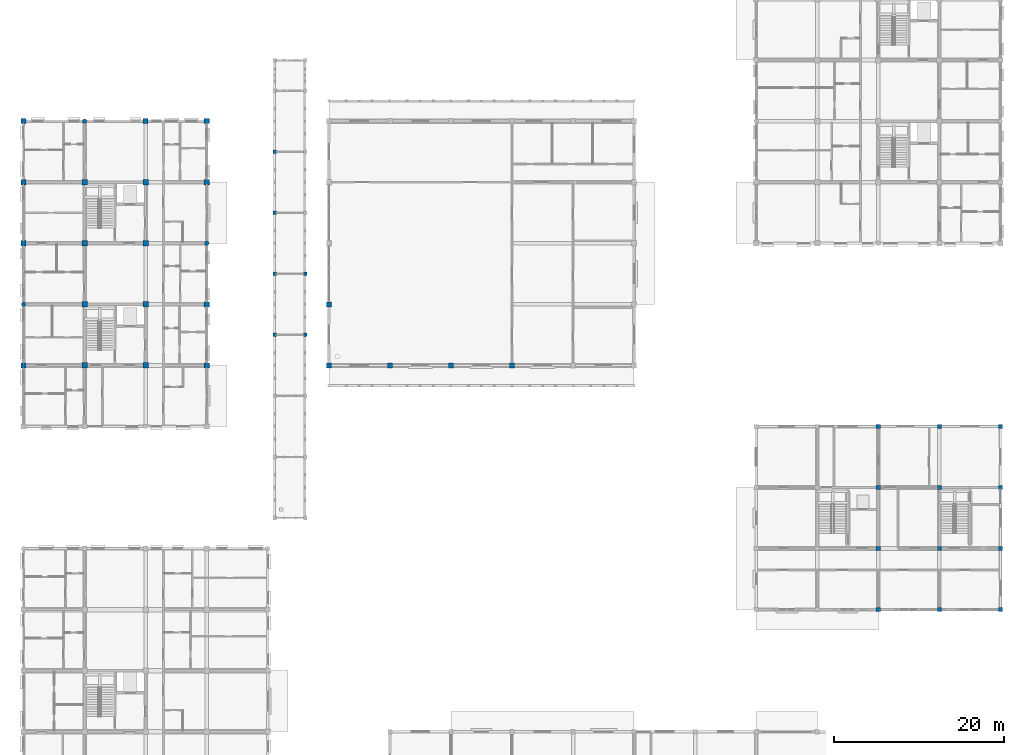
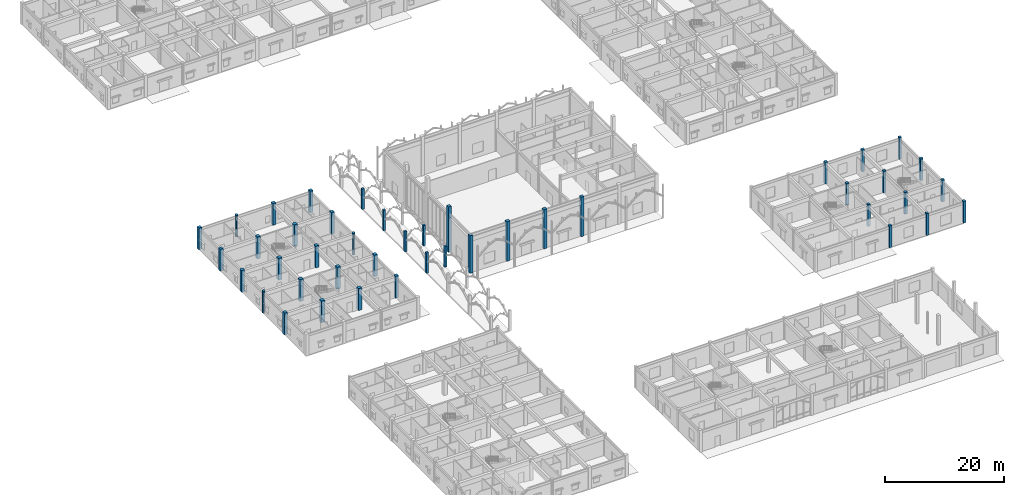
# One storey, part 7 of 138: 43 columns.
"""IFC4 building model written with IfcOpenShell, lengths in metres."""

from ifc_helpers import new_model, si_unit, direction, frame, origin, origin_2d, place, context, subcontext, project, spatial, rectangle, circle, extrude, material, material_profile, profile_set, type_object, element, save


model = new_model("IFC4")

# Units and contexts
model_context = context("Model", 3, precision=1e-05, world=origin(), true_north=direction((0.0, 1.0)))
body_context = subcontext(model_context, "Body", "Model", "MODEL_VIEW")
ifc_project = project(units=[si_unit("LENGTHUNIT", "METRE"), si_unit("AREAUNIT", "SQUARE_METRE"), si_unit("VOLUMEUNIT", "CUBIC_METRE"), si_unit("PLANEANGLEUNIT", "RADIAN"), si_unit("MASSUNIT", "GRAM", prefix="KILO"), si_unit("THERMODYNAMICTEMPERATUREUNIT", "KELVIN"), si_unit("POWERUNIT", "WATT")], contexts=[model_context])

# Site, building, storey
site_placement = place(None, origin())
site = spatial("IfcSite", under=ifc_project, at=site_placement, CompositionType="ELEMENT")
building_placement = place(site_placement, origin())
building = spatial("IfcBuilding", under=site, at=building_placement, Name="Tavuni Mirador Residences", CompositionType="ELEMENT")
storey_placement = place(building_placement, origin())
storey = spatial("IfcBuildingStorey", under=building, at=storey_placement, Name="L00", CompositionType="ELEMENT", Elevation=0.0)

# Columns
ifc_material_1 = material(Name="Precast concrete C40/50", Category="concrete")
ifc_material_profile_1 = material_profile(ifc_material_1, rectangle(XDim=0.419921875, YDim=0.419921875, at=origin_2d()), Name="CORAL 420x420", Category="concrete")
ifc_profile_set_1 = profile_set([ifc_material_profile_1], Name="Precast concrete C40/50")
column_type_1 = type_object("IfcColumnType", Name="CT-PIL420", PredefinedType="PILASTER", material=ifc_profile_set_1)
for number, where, z_axis, x_axis, name in (
    (1, (33.199951171875, 75.60009765625, 0.0), (0.0, 0.0, 1.0), (1.0, 0.0, 0.0), "COL-PAV-COL-L00-00-03"),
    (2, (36.800048828125, 75.60009765625, 0.0), (0.0, 0.0, 1.0), (1.0, 0.0, 0.0), "COL-PAV-COL-L00-01-03"),
    (3, (33.199951171875, 82.800048828125, 0.0), (0.0, 0.0, 1.0), (1.0, 0.0, 0.0), "COL-PAV-COL-L00-00-04"),
    (4, (36.800048828125, 82.800048828125, 0.0), (0.0, 0.0, 1.0), (1.0, 0.0, 0.0), "COL-PAV-COL-L00-01-04"),
    (5, (33.199951171875, 90.0, 0.0), (0.0, 0.0, 1.0), (1.0, 0.0, 0.0), "COL-PAV-COL-L00-00-05"),
    (6, (33.199951171875, 97.199951171875, 0.0), (0.0, 0.0, 1.0), (1.0, 0.0, 0.0), "COL-PAV-COL-L00-00-06"),
):
    element("IfcColumn", number, at=place(storey_placement, frame(where, z_axis=z_axis, x_axis=x_axis)), inside=storey, type_object=column_type_1, Name=name, PredefinedType="PILASTER", context=body_context, shape_type="SweptSolid", body=[
        extrude(rectangle(XDim=0.419921875, YDim=0.419921875, at=origin_2d()), origin(), (0.0, 0.0, 1.0), 4.199951171875),
    ])
ifc_material_profile_2 = material_profile(ifc_material_1, rectangle(XDim=0.47998046875, YDim=0.47998046875, at=origin_2d()), Name="CORAL 480x480", Category="concrete")
ifc_profile_set_2 = profile_set([ifc_material_profile_2], Name="Precast concrete C40/50")
column_type_2 = type_object("IfcColumnType", Name="CT-PIL480", PredefinedType="PILASTER", material=ifc_profile_set_2)
for number, where, z_axis, x_axis, name in (
    (7, (118.800048828125, 43.199951171875, 0.0), (0.0, 0.0, 1.0), (1.0, 0.0, 0.0), "COL-PAV-NURS-L00-04-00"),
    (8, (118.800048828125, 64.800048828125, 0.0), (0.0, 0.0, 1.0), (1.0, 0.0, 0.0), "COL-PAV-NURS-L00-04-03"),
):
    element("IfcColumn", number, at=place(storey_placement, frame(where, z_axis=z_axis, x_axis=x_axis)), inside=storey, type_object=column_type_2, Name=name, PredefinedType="PILASTER", context=body_context, shape_type="SweptSolid", body=[
        extrude(rectangle(XDim=0.47998046875, YDim=0.47998046875, at=origin_2d()), origin(), (0.0, 0.0, 1.0), 4.5),
    ])
ifc_material_profile_3 = material_profile(ifc_material_1, rectangle(XDim=0.5, YDim=0.5, at=origin_2d()), Name="RC 500x500", Category="concrete")
ifc_profile_set_3 = profile_set([ifc_material_profile_3], Name="Precast concrete C40/50")
column_type_3 = type_object("IfcColumnType", Name="CT-RC500", PredefinedType="COLUMN", material=ifc_profile_set_3)
for number, where, z_axis, x_axis, name in (
    (9, (104.39990234375, 43.199951171875, 0.0), (0.0, 0.0, 1.0), (1.0, 0.0, 0.0), "COL-PAV-NURS-L00-02-00"),
    (10, (104.39990234375, 50.39990234375, 0.0), (0.0, 0.0, 1.0), (1.0, 0.0, 0.0), "COL-PAV-NURS-L00-02-01"),
    (11, (104.39990234375, 57.60009765625, 0.0), (0.0, 0.0, 1.0), (1.0, 0.0, 0.0), "COL-PAV-NURS-L00-02-02"),
    (12, (104.39990234375, 64.800048828125, 0.0), (0.0, 0.0, 1.0), (1.0, 0.0, 0.0), "COL-PAV-NURS-L00-02-03"),
    (13, (111.60009765625, 43.199951171875, 0.0), (0.0, 0.0, 1.0), (1.0, 0.0, 0.0), "COL-PAV-NURS-L00-03-00"),
    (14, (111.60009765625, 50.39990234375, 0.0), (0.0, 0.0, 1.0), (1.0, 0.0, 0.0), "COL-PAV-NURS-L00-03-01"),
    (15, (111.60009765625, 57.60009765625, 0.0), (0.0, 0.0, 1.0), (1.0, 0.0, 0.0), "COL-PAV-NURS-L00-03-02"),
    (16, (111.60009765625, 64.800048828125, 0.0), (0.0, 0.0, 1.0), (1.0, 0.0, 0.0), "COL-PAV-NURS-L00-03-03"),
    (17, (118.800048828125, 50.39990234375, 0.0), (0.0, 0.0, 1.0), (1.0, 0.0, 0.0), "COL-PAV-NURS-L00-04-01"),
    (18, (118.800048828125, 57.60009765625, 0.0), (0.0, 0.0, 1.0), (1.0, 0.0, 0.0), "COL-PAV-NURS-L00-04-02"),
):
    element("IfcColumn", number, at=place(storey_placement, frame(where, z_axis=z_axis, x_axis=x_axis)), inside=storey, type_object=column_type_3, Name=name, PredefinedType="COLUMN", context=body_context, shape_type="SweptSolid", body=[
        extrude(rectangle(XDim=0.5, YDim=0.5, at=origin_2d()), origin(), (0.0, 0.0, 1.0), 4.5),
    ])
ifc_material_profile_4 = material_profile(ifc_material_1, rectangle(XDim=0.60009765625, YDim=0.60009765625, at=origin_2d()), Name="RC 600x600", Category="concrete")
ifc_profile_set_4 = profile_set([ifc_material_profile_4], Name="Precast concrete C40/50")
column_type_4 = type_object("IfcColumnType", Name="CT-RC600", PredefinedType="COLUMN", material=ifc_profile_set_4)
for number, where, z_axis, x_axis, name in (
    (19, (3.60009765625, 72.0, 0.0), (0.0, 0.0, 1.0), (1.0, 0.0, 0.0), "COL-BLK-B-L00-00-01"),
    (20, (3.60009765625, 86.39990234375, 0.0), (0.0, 0.0, 1.0), (1.0, 0.0, 0.0), "COL-BLK-B-L00-00-03"),
    (21, (3.60009765625, 93.60009765625, 0.0), (0.0, 0.0, 1.0), (1.0, 0.0, 0.0), "COL-BLK-B-L00-00-04"),
    (22, (3.60009765625, 100.800048828125, 0.0), (0.0, 0.0, 1.0), (1.0, 0.0, 0.0), "COL-BLK-B-L00-00-05"),
    (23, (18.0, 100.800048828125, 0.0), (0.0, 0.0, 1.0), (1.0, 0.0, 0.0), "COL-BLK-B-L00-02-05"),
    (24, (25.199951171875, 72.0, 0.0), (0.0, 0.0, 1.0), (1.0, 0.0, 0.0), "COL-BLK-B-L00-03-01"),
    (25, (25.199951171875, 79.199951171875, 0.0), (0.0, 0.0, 1.0), (1.0, 0.0, 0.0), "COL-BLK-B-L00-03-02"),
    (26, (25.199951171875, 93.60009765625, 0.0), (0.0, 0.0, 1.0), (1.0, 0.0, 0.0), "COL-BLK-B-L00-03-04"),
    (27, (25.199951171875, 100.800048828125, 0.0), (0.0, 0.0, 1.0), (1.0, 0.0, 0.0), "COL-BLK-B-L00-03-05"),
):
    element("IfcColumn", number, at=place(storey_placement, frame(where, z_axis=z_axis, x_axis=x_axis)), inside=storey, type_object=column_type_4, Name=name, PredefinedType="COLUMN", context=body_context, shape_type="SweptSolid", body=[
        extrude(rectangle(XDim=0.60009765625, YDim=0.60009765625, at=origin_2d()), origin(), (0.0, 0.0, 1.0), 4.5),
    ])
column_1_placement = place(storey_placement, frame((39.60009765625, 72.0, 0.0), z_axis=(0.0, 0.0, 1.0), x_axis=(1.0, 0.0, 0.0)))
element("IfcColumn", 28, at=column_1_placement, inside=storey, type_object=column_type_4, Name="COL-PAV-HALL-L00-00-00", PredefinedType="COLUMN", context=body_context, shape_type="SweptSolid", body=[
    extrude(rectangle(XDim=0.60009765625, YDim=0.60009765625, at=origin_2d()), origin(), (0.0, 0.0, 1.0), 7.7451171875),
])
column_2_placement = place(storey_placement, frame((39.60009765625, 79.199951171875, 0.0), z_axis=(0.0, 0.0, 1.0), x_axis=(1.0, 0.0, 0.0)))
element("IfcColumn", 29, at=column_2_placement, inside=storey, type_object=column_type_4, Name="COL-PAV-HALL-L00-00-01", PredefinedType="COLUMN", context=body_context, shape_type="SweptSolid", body=[
    extrude(rectangle(XDim=0.60009765625, YDim=0.60009765625, at=origin_2d()), origin(), (0.0, 0.0, 1.0), 9.294921875),
])
for number, where, z_axis, x_axis, name in (
    (30, (46.800048828125, 72.0, 0.0), (0.0, 0.0, 1.0), (1.0, 0.0, 0.0), "COL-PAV-HALL-L00-01-00"),
    (31, (54.0, 72.0, 0.0), (0.0, 0.0, 1.0), (1.0, 0.0, 0.0), "COL-PAV-HALL-L00-02-00"),
    (32, (61.199951171875, 72.0, 0.0), (0.0, 0.0, 1.0), (1.0, 0.0, 0.0), "COL-PAV-HALL-L00-03-00"),
):
    element("IfcColumn", number, at=place(storey_placement, frame(where, z_axis=z_axis, x_axis=x_axis)), inside=storey, type_object=column_type_4, Name=name, PredefinedType="COLUMN", context=body_context, shape_type="SweptSolid", body=[
        extrude(rectangle(XDim=0.60009765625, YDim=0.60009765625, at=origin_2d()), origin(), (0.0, 0.0, 1.0), 8.10009765625),
    ])
ifc_material_2 = material(Name="In-situ concrete C35/45", Category="concrete")
ifc_material_profile_5 = material_profile(ifc_material_2, rectangle(XDim=0.64990234375, YDim=0.64990234375, at=origin_2d()), Name="RC 650x650", Category="concrete")
ifc_profile_set_5 = profile_set([ifc_material_profile_5], Name="In-situ concrete C35/45")
column_type_5 = type_object("IfcColumnType", Name="CT-RC650", PredefinedType="COLUMN", material=ifc_profile_set_5)
for number, where, z_axis, x_axis, name in (
    (33, (10.800048828125, 72.0, 0.0), (0.0, 0.0, 1.0), (1.0, 0.0, 0.0), "COL-BLK-B-L00-01-01"),
    (34, (10.800048828125, 79.199951171875, 0.0), (0.0, 0.0, 1.0), (1.0, 0.0, 0.0), "COL-BLK-B-L00-01-02"),
    (35, (10.800048828125, 86.39990234375, 0.0), (0.0, 0.0, 1.0), (1.0, 0.0, 0.0), "COL-BLK-B-L00-01-03"),
    (36, (10.800048828125, 93.60009765625, 0.0), (0.0, 0.0, 1.0), (1.0, 0.0, 0.0), "COL-BLK-B-L00-01-04"),
    (37, (18.0, 72.0, 0.0), (0.0, 0.0, 1.0), (1.0, 0.0, 0.0), "COL-BLK-B-L00-02-01"),
    (38, (18.0, 79.199951171875, 0.0), (0.0, 0.0, 1.0), (1.0, 0.0, 0.0), "COL-BLK-B-L00-02-02"),
    (39, (18.0, 86.39990234375, 0.0), (0.0, 0.0, 1.0), (1.0, 0.0, 0.0), "COL-BLK-B-L00-02-03"),
    (40, (18.0, 93.60009765625, 0.0), (0.0, 0.0, 1.0), (1.0, 0.0, 0.0), "COL-BLK-B-L00-02-04"),
):
    element("IfcColumn", number, at=place(storey_placement, frame(where, z_axis=z_axis, x_axis=x_axis)), inside=storey, type_object=column_type_5, Name=name, PredefinedType="COLUMN", context=body_context, shape_type="SweptSolid", body=[
        extrude(rectangle(XDim=0.64990234375, YDim=0.64990234375, at=origin_2d()), origin(), (0.0, 0.0, 1.0), 4.5),
    ])
ifc_material_profile_6 = material_profile(ifc_material_1, circle(Radius=0.260009765625, at=origin_2d()), Name="RC D520", Category="concrete")
ifc_profile_set_6 = profile_set([ifc_material_profile_6], Name="Precast concrete C40/50")
column_type_6 = type_object("IfcColumnType", Name="CT-RCD520", PredefinedType="COLUMN", material=ifc_profile_set_6)
for number, where, z_axis, x_axis, name in (
    (41, (3.60009765625, 79.199951171875, 0.0), (0.0, 0.0, 1.0), (1.0, 0.0, 0.0), "COL-BLK-B-L00-00-02"),
    (42, (10.800048828125, 100.800048828125, 0.0), (0.0, 0.0, 1.0), (1.0, 0.0, 0.0), "COL-BLK-B-L00-01-05"),
    (43, (25.199951171875, 86.39990234375, 0.0), (0.0, 0.0, 1.0), (1.0, 0.0, 0.0), "COL-BLK-B-L00-03-03"),
):
    element("IfcColumn", number, at=place(storey_placement, frame(where, z_axis=z_axis, x_axis=x_axis)), inside=storey, type_object=column_type_6, Name=name, PredefinedType="COLUMN", context=body_context, shape_type="SweptSolid", body=[
        extrude(circle(Radius=0.260009765625, at=origin_2d()), origin(), (0.0, 0.0, 1.0), 4.5),
    ])

save(model, "model.ifc")
